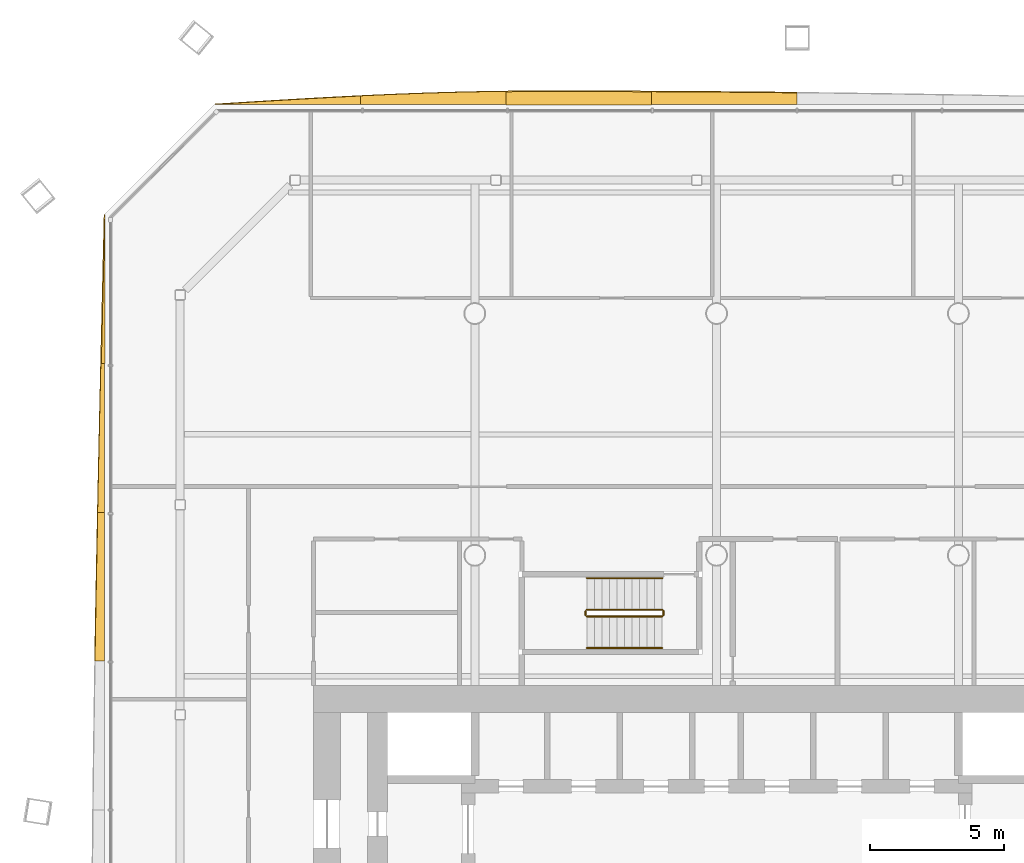
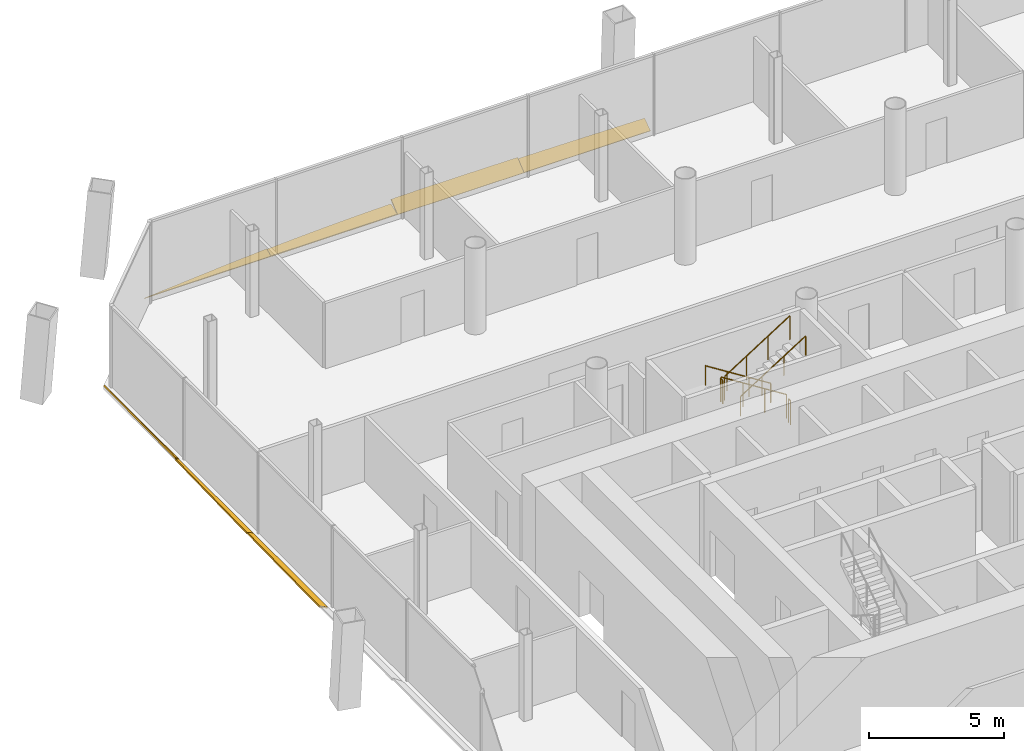
# One storey, part 19 of 20: 7 shading devices, 6 railings.
"""IFC4 building model written with IfcOpenShell, lengths in metres."""

from ifc_helpers import new_model, si_unit, direction, frame, origin, origin_2d, place, context, subcontext, project, spatial, polyline, circle, outline, extrude, material, layer, layer_set, type_object, element, save


model = new_model("IFC4")

# Units and contexts
model_context = context("Model", 3, precision=1e-05, world=origin(), true_north=direction((0.0, 1.0)))
body_context = subcontext(model_context, "Body", "Model", "MODEL_VIEW")
ifc_project = project(units=[si_unit("LENGTHUNIT", "METRE"), si_unit("AREAUNIT", "SQUARE_METRE"), si_unit("VOLUMEUNIT", "CUBIC_METRE"), si_unit("PLANEANGLEUNIT", "RADIAN"), si_unit("MASSUNIT", "GRAM", prefix="KILO")], contexts=[model_context])

# Site, building, storey
site_placement = place(None, origin())
site = spatial("IfcSite", under=ifc_project, at=site_placement, CompositionType="ELEMENT")
building_placement = place(site_placement, origin())
building = spatial("IfcBuilding", under=site, at=building_placement, Name="Tskaro Facet Tower", CompositionType="ELEMENT")
storey_placement = place(building_placement, frame((0.0, 0.0, 69.89990234375)))
storey = spatial("IfcBuildingStorey", under=building, at=storey_placement, Name="L16", CompositionType="ELEMENT", Elevation=69.89990234375)

# Shading devices
ifc_material_1 = material(Name="Bronze anodised aluminium 6063-T6", Category="aluminium")
ifc_layer = layer(ifc_material_1, 0.06005859375, Name="Bronze anodised aluminium 6063-T6")
ifc_layer_set = layer_set([ifc_layer], Name="Bronze anodised aluminium 6063-T6")
shading_device_type = type_object("IfcShadingDeviceType", Name="Bronze sun blade (FN1)", PredefinedType="USERDEFINED", material=ifc_layer_set)
shading_device_1_placement = place(storey_placement, frame((3.0, 25.774658203125, 0.04931640625), z_axis=(-7.554352e-06, -0.573585776509, 0.819145504126), x_axis=(-0.999999999971, 4.333069e-06, -6.188114e-06)))
element("IfcShadingDevice", 1, at=shading_device_1_placement, inside=storey, type_object=shading_device_type, Name="Fin blade north 5", ObjectType="FIN", PredefinedType="USERDEFINED", context=body_context, shape_type="SweptSolid", body=[
    extrude(outline(polyline([(0.0, 0.0), (5.419433593595362, -2.2952194046815135e-21), (5.419433593357832, -0.587762912979416), (4.74194335975246, -0.58322272105949), (4.064697266167095, -0.5781425201588942), (3.38720703135175, -0.5725223102776287), (2.7097167963843107, -0.5660220691303723), (2.0322265623226548, -0.5588417834124739), (1.3549804682810063, -0.551121488713906), (0.6774902345201477, -0.542721149444696), (-9.035754505887182e-10, -0.5335808144994673), (0.0, 0.0)])), origin(), (0.0, 0.0, -1.0), 0.06005859375),
])
shading_device_2_placement = place(storey_placement, frame((-2.41943359375, 25.7705078125, 0.046142578125), z_axis=(-2.0424288e-05, -0.642753974801, 0.766072664609), x_axis=(-0.999999999791, 1.3127792e-05, -1.5646489e-05)))
element("IfcShadingDevice", 2, at=shading_device_2_placement, inside=storey, type_object=shading_device_type, Name="Fin blade north 6", ObjectType="FIN", PredefinedType="USERDEFINED", context=body_context, shape_type="SweptSolid", body=[
    extrude(outline(polyline([(0.0, 0.0), (5.419677733244587, 0.0), (5.419677736117403, -0.6299345089573312), (4.7421874979706375, -0.638062537294191), (4.064697265227671, -0.6411882107432055), (3.945556640252521, -0.6411882107432055), (3.3872070277889517, -0.6410011812840335), (2.709716795400008, -0.6399693258350321), (2.0324707048658457, -0.638249566753363), (1.354980467911596, -0.6358117969370161), (0.6774902360071217, -0.6325292011308398), (-1.692491418806435e-09, -0.6285285945899857), (0.0, 0.0)])), origin(), (0.0, 0.0, -1.0), 0.06005859375),
])
shading_device_3_placement = place(storey_placement, frame((-7.839111328125, 25.78857421875, 0.056396484375), z_axis=(-4.627755e-06, -0.342201562753, 0.939626569669), x_axis=(-0.999999999989, 1.583625e-06, -4.348362e-06)))
element("IfcShadingDevice", 3, at=shading_device_3_placement, inside=storey, type_object=shading_device_type, Name="Fin blade north 7", ObjectType="FIN", PredefinedType="USERDEFINED", context=body_context, shape_type="SweptSolid", body=[
    extrude(outline(polyline([(0.0, 0.0), (5.419433593691969, -1.1476097023407568e-21), (5.419433593961993, -0.3333371627699309), (4.741943359573406, -0.36685652335053787), (4.064453125178366, -0.39751829151964657), (3.3869628907768736, -0.4253224672772571), (2.7097167966072995, -0.4500396496053813), (2.0322265620946323, -0.4713568921826239), (1.3547363274772442, -0.4890447939909966), (0.6772460942033717, -0.5032492107450803), (1.535881275481306e-12, -0.5136784310157135), (0.0, 0.0)])), origin(), (0.0, 0.0, -1.0), 0.06005859375),
])
shading_device_4_placement = place(storey_placement, frame((-13.258544921875, 25.78369140625, 0.054443359375), z_axis=(2.8303074e-05, -0.422862231814, 0.906193981499), x_axis=(-0.999999999599, -1.1968301e-05, 2.5648075e-05)))
element("IfcShadingDevice", 4, at=shading_device_4_placement, inside=storey, type_object=shading_device_type, Name="Fin blade north 8", ObjectType="FIN", PredefinedType="USERDEFINED", context=body_context, shape_type="SweptSolid", body=[
    extrude(outline(polyline([(0.0, 0.0), (5.4194335915793435, 0.0), (4.741943359179319, -0.04663657218083407), (4.064697267404196, -0.09327314436166814), (3.387207031246542, -0.13903952454798293), (2.7097167942532074, -0.18371447397467544), (2.032226559346142, -0.22707675387664275), (1.3547363261075038, -0.2685806488740737), (0.6774902351621959, -0.30822615896696826), (-4.341111695381285e-09, -0.3455855696910131), (0.0, 0.0)])), origin(), (0.0, 0.0, -1.0), 0.06005859375),
])
shading_device_5_placement = place(storey_placement, frame((-22.7705078125, 21.677978515625, 0.046142578125), z_axis=(0.64278865851, -1.3644678e-05, 0.766043562929), x_axis=(-8.770644e-06, -0.999999999907, -1.0452418e-05)))
element("IfcShadingDevice", 5, at=shading_device_5_placement, inside=storey, type_object=shading_device_type, Name="Fin blade west 1", ObjectType="FIN", PredefinedType="USERDEFINED", context=body_context, shape_type="SweptSolid", body=[
    extrude(outline(polyline([(0.0, 0.0), (5.539062499484376, -4.691768434400773e-21), (5.539062500510849, -0.16948704034136614), (4.846679687103733, -0.14851236959445402), (4.154296875837888, -0.12772472120179), (3.4619140624307727, -0.1067500504548779), (2.7695312494342463, -0.08543142652887153), (2.0771484364377195, -0.0641128026028652), (1.3847656234411931, -0.04279417867685885), (0.6923828129965265, -0.02131862392600635), (0.0, 0.0)])), origin(), (0.0, 0.0, -1.0), 0.06005859375),
])
shading_device_6_placement = place(storey_placement, frame((-22.78857421875, 16.138916015625, 0.056396484375), z_axis=(0.342597651147, -3.938658e-06, 0.939482224107), x_axis=(-1.349375e-06, -0.999999999992, -3.700299e-06)))
element("IfcShadingDevice", 6, at=shading_device_6_placement, inside=storey, type_object=shading_device_type, Name="Fin blade west 2", ObjectType="FIN", PredefinedType="USERDEFINED", context=body_context, shape_type="SweptSolid", body=[
    extrude(outline(polyline([(0.0, 0.0), (5.539062499957036, 0.0), (5.539062500090542, -0.2666113973318448), (4.846679687130374, -0.2513223343687378), (4.154296875073602, -0.23594962940095568), (3.4619140623579527, -0.22011819287843015), (2.769531250545698, -0.20420311435122956), (2.077148437171176, -0.18791294627396068), (1.3847656247000462, -0.17153913619201672), (0.6923828128028732, -0.15485231832802593), (2.3067813648392142e-12, -0.13824914246871026), (0.0, 0.0)])), origin(), (0.0, 0.0, -1.0), 0.06005859375),
])
shading_device_7_placement = place(storey_placement, frame((-22.78369140625, 10.599853515625, 0.054443359375), z_axis=(0.422728382955, -5.877285e-06, 0.906256428507), x_axis=(-2.484495e-06, -0.999999999983, -5.326327e-06)))
element("IfcShadingDevice", 7, at=shading_device_7_placement, inside=storey, type_object=shading_device_type, Name="Fin blade west 3", ObjectType="FIN", PredefinedType="USERDEFINED", context=body_context, shape_type="SweptSolid", body=[
    extrude(outline(polyline([(0.0, 0.0), (5.53930664052933, 0.0), (5.539306640478938, -0.38981804457309277), (4.846923827483922, -0.3769273382756701), (4.154541015182711, -0.3637121727957561), (3.4621582035753087, -0.3501725481333507), (2.7697753907547735, -0.33619041544920586), (2.077392578021479, -0.3216625695716999), (1.3847656253569942, -0.3068102645117026), (0.6923828127109399, -0.2917367054408357), (-5.416806971474329e-10, -0.27644189235909894), (0.0, 0.0)])), origin(), (0.0, 0.0, -1.0), 0.06005859375),
])

# Railings
ifc_material_2 = material(Name="Stainless steel", Category="steel")
railing_type_1 = type_object("IfcRailingType", Name="RL-GUARD-1100", PredefinedType="GUARDRAIL", material=ifc_material_2)
railing_1_placement = place(storey_placement, frame((-2.02490234375, 6.97509765625, 0.177490234375)))
element("IfcRailing", 8, at=railing_1_placement, inside=storey, type_object=railing_type_1, Name="L16 ST-3 stair guard 1", PredefinedType="GUARDRAIL", context=body_context, shape_type="SweptSolid", body=[
    extrude(circle(Radius=0.02392578125, at=origin_2d()), frame((0.0, 0.0, 1.076171875), z_axis=(-0.844908973607, 0.0, 0.534910110503), x_axis=(0.0, -1.0, 0.0)), (0.0, 0.0, 1.0), 3.31396484375),
    extrude(circle(Radius=0.02099609375, at=origin_2d()), origin(), (0.0, 0.0, 1.0), 1.052001953125),
    extrude(circle(Radius=0.02099609375, at=origin_2d()), frame((-0.933349609375, 0.0, 0.5908203125)), (0.0, 0.0, 1.0), 1.052001953125),
    extrude(circle(Radius=0.02099609375, at=origin_2d()), frame((-1.86669921875, 0.0, 1.181884765625)), (0.0, 0.0, 1.0), 1.052001953125),
    extrude(circle(Radius=0.02099609375, at=origin_2d()), frame((-2.800048828125, 0.0, 1.772705078125)), (0.0, 0.0, 1.0), 1.052001953125),
])
railing_2_placement = place(storey_placement, frame((-4.875, 6.925048828125, 1.9501953125)))
element("IfcRailing", 9, at=railing_2_placement, inside=storey, type_object=railing_type_1, Name="L16 ST-3 stair guard 2", PredefinedType="GUARDRAIL", context=body_context, shape_type="SweptSolid", body=[
    extrude(circle(Radius=0.02392578125, at=origin_2d()), frame((0.0, 0.0, 1.076171875), z_axis=(0.0, -1.0, 0.0), x_axis=(1.0, 0.0, 0.0)), (0.0, 0.0, 1.0), 0.150146484375),
    extrude(circle(Radius=0.02099609375, at=origin_2d()), origin(), (0.0, 0.0, 1.0), 1.052001953125),
    extrude(circle(Radius=0.02099609375, at=origin_2d()), frame((0.0, -0.150146484375, 0.0)), (0.0, 0.0, 1.0), 1.052001953125),
])
railing_3_placement = place(storey_placement, frame((-4.824951171875, 6.72509765625, 2.12744140625)))
element("IfcRailing", 10, at=railing_3_placement, inside=storey, type_object=railing_type_1, Name="L16 ST-3 stair guard 3", PredefinedType="GUARDRAIL", context=body_context, shape_type="SweptSolid", body=[
    extrude(circle(Radius=0.02392578125, at=origin_2d()), frame((0.0, 0.0, 1.076171875), z_axis=(0.844908973607, 0.0, 0.534910110503), x_axis=(0.0, 1.0, 0.0)), (0.0, 0.0, 1.0), 3.31396484375),
    extrude(circle(Radius=0.02099609375, at=origin_2d()), origin(), (0.0, 0.0, 1.0), 1.052001953125),
    extrude(circle(Radius=0.02099609375, at=origin_2d()), frame((0.933349609375, 0.0, 0.5908203125)), (0.0, 0.0, 1.0), 1.052001953125),
    extrude(circle(Radius=0.02099609375, at=origin_2d()), frame((1.86669921875, 0.0, 1.181884765625)), (0.0, 0.0, 1.0), 1.052001953125),
    extrude(circle(Radius=0.02099609375, at=origin_2d()), frame((2.800048828125, 0.0, 1.772705078125)), (0.0, 0.0, 1.0), 1.052001953125),
])
railing_4_placement = place(storey_placement, frame((-1.97509765625, 6.925048828125, 0.0)))
element("IfcRailing", 11, at=railing_4_placement, inside=storey, type_object=railing_type_1, Name="L16 ST-3 stair guard 4", PredefinedType="GUARDRAIL", context=body_context, shape_type="SweptSolid", body=[
    extrude(circle(Radius=0.02392578125, at=origin_2d()), frame((0.0, 0.0, 1.076171875), z_axis=(0.0, -1.0, 0.0), x_axis=(1.0, 0.0, 0.0)), (0.0, 0.0, 1.0), 0.150146484375),
    extrude(circle(Radius=0.02099609375, at=origin_2d()), origin(), (0.0, 0.0, 1.0), 1.052001953125),
    extrude(circle(Radius=0.02099609375, at=origin_2d()), frame((0.0, -0.150146484375, 0.0)), (0.0, 0.0, 1.0), 1.052001953125),
])
railing_type_2 = type_object("IfcRailingType", Name="RL-HANDRAIL-900", PredefinedType="HANDRAIL", material=ifc_material_2)
railing_5_placement = place(storey_placement, frame((-2.02490234375, 8.14990234375, 0.177490234375)))
element("IfcRailing", 12, at=railing_5_placement, inside=storey, type_object=railing_type_2, Name="L16 ST-3 stair handrail 1", PredefinedType="HANDRAIL", context=body_context, shape_type="SweptSolid", body=[
    extrude(circle(Radius=0.02392578125, at=origin_2d()), frame((0.0, 0.0, 0.8759765625), z_axis=(-0.844908973607, 0.0, 0.534910110503), x_axis=(0.0, -1.0, 0.0)), (0.0, 0.0, 1.0), 3.31396484375),
    extrude(circle(Radius=0.02099609375, at=origin_2d()), origin(), (0.0, 0.0, 1.0), 0.851806640625),
    extrude(circle(Radius=0.02099609375, at=origin_2d()), frame((-0.933349609375, 0.0, 0.5908203125)), (0.0, 0.0, 1.0), 0.851806640625),
    extrude(circle(Radius=0.02099609375, at=origin_2d()), frame((-1.86669921875, 0.0, 1.181884765625)), (0.0, 0.0, 1.0), 0.851806640625),
    extrude(circle(Radius=0.02099609375, at=origin_2d()), frame((-2.800048828125, 0.0, 1.772705078125)), (0.0, 0.0, 1.0), 0.851806640625),
])
railing_6_placement = place(storey_placement, frame((-4.824951171875, 5.550048828125, 2.12744140625)))
element("IfcRailing", 13, at=railing_6_placement, inside=storey, type_object=railing_type_2, Name="L16 ST-3 stair handrail 2", PredefinedType="HANDRAIL", context=body_context, shape_type="SweptSolid", body=[
    extrude(circle(Radius=0.02392578125, at=origin_2d()), frame((0.0, 0.0, 0.8759765625), z_axis=(0.844908973607, 0.0, 0.534910110503), x_axis=(0.0, 1.0, 0.0)), (0.0, 0.0, 1.0), 3.31396484375),
    extrude(circle(Radius=0.02099609375, at=origin_2d()), origin(), (0.0, 0.0, 1.0), 0.851806640625),
    extrude(circle(Radius=0.02099609375, at=origin_2d()), frame((0.933349609375, 0.0, 0.5908203125)), (0.0, 0.0, 1.0), 0.851806640625),
    extrude(circle(Radius=0.02099609375, at=origin_2d()), frame((1.86669921875, 0.0, 1.181884765625)), (0.0, 0.0, 1.0), 0.851806640625),
    extrude(circle(Radius=0.02099609375, at=origin_2d()), frame((2.800048828125, 0.0, 1.772705078125)), (0.0, 0.0, 1.0), 0.851806640625),
])

save(model, "model.ifc")
